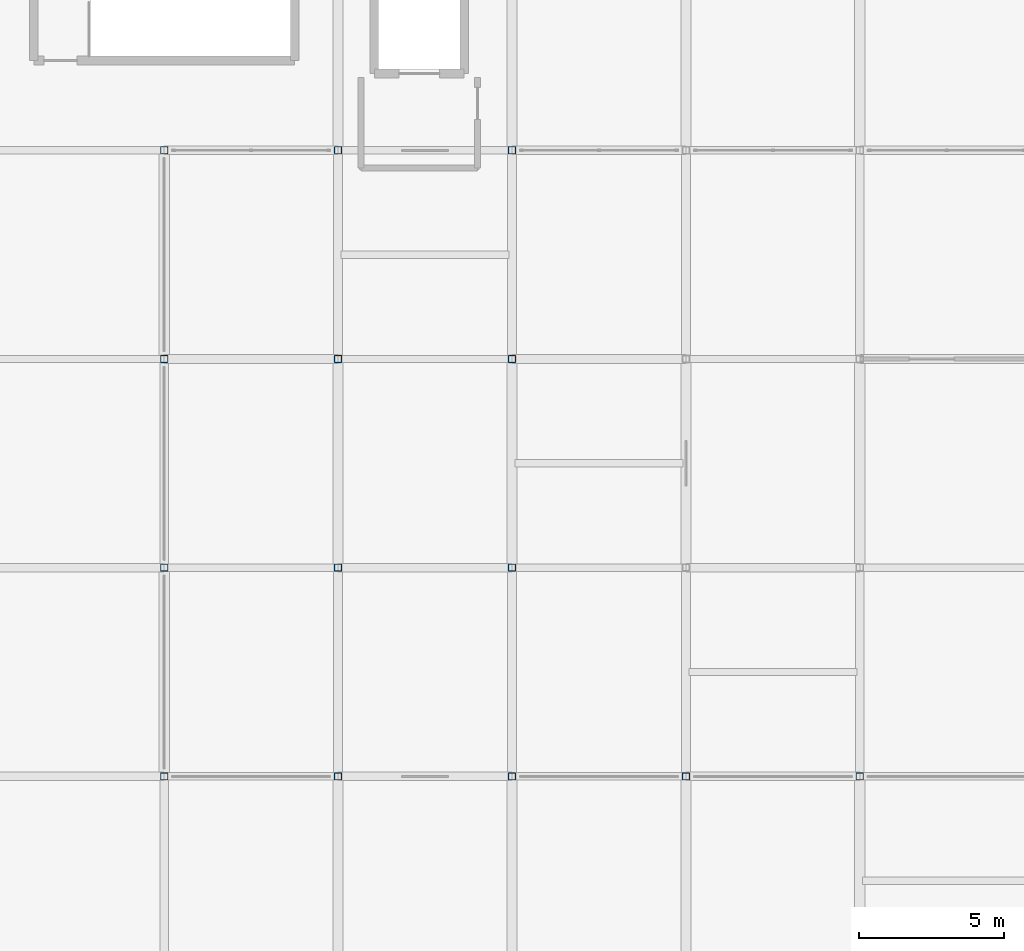
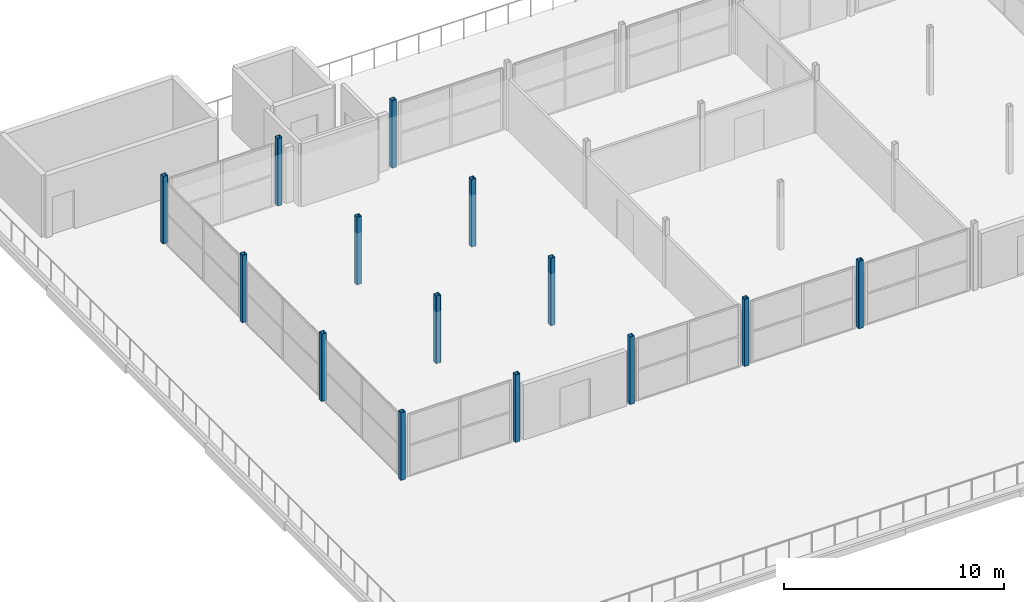
# One storey, part 2 of 239: 14 columns.
"""IFC4 building model written with IfcOpenShell, lengths in metres."""

import ifcopenshell
import ifcopenshell.guid

model = None  # the IFC model being written
_history = None  # IfcOwnerHistory: only IFC2X3 demands one
_inside = {}  # id of a spatial element -> (the spatial element, [elements in it])
_under = {}  # id of a project, library or spatial element -> (it, [spatial elements below it])
_declared = {}  # id of a project -> (the project, [libraries it declares])
_typed = {}  # id of a type object -> (the type object, [elements of that type])
_made_of = {}  # id of a material, layer set ... -> (it, [elements and type objects made of it])


def new_model(schema):
    """Start an empty IFC model of exactly this schema.

    Asked for "IFC4X3", IfcOpenShell would pick the latest addendum, in which some entities
    have other attributes; the version numbers below select the first issue.
    IFC2X3 requires an IfcOwnerHistory on every rooted entity: one is made here for all.
    """
    global model, _history
    if schema == "IFC4X3":
        model = ifcopenshell.file(schema_version=(4, 3, 0, 0))
    else:
        model = ifcopenshell.file(schema=schema)
    _inside.clear()
    _under.clear()
    _declared.clear()
    _typed.clear()
    _made_of.clear()
    _history = None
    if model.schema == "IFC2X3":
        org = make("IfcOrganization", Name="unknown")
        user = make(
            "IfcPersonAndOrganization",
            ThePerson=make("IfcPerson", FamilyName="unknown"),
            TheOrganization=org,
        )
        app = make(
            "IfcApplication",
            ApplicationDeveloper=org,
            Version="unknown",
            ApplicationFullName="unknown",
            ApplicationIdentifier="unknown",
        )
        _history = make(
            "IfcOwnerHistory",
            OwningUser=user,
            OwningApplication=app,
            ChangeAction="ADDED",
            CreationDate=0,
        )
    return model


def make(cls, **values):
    """One entity of the class cls with the attributes given. An attribute that is None is left unset."""
    return model.create_entity(
        cls, **{name: value for name, value in values.items() if value is not None}
    )


def rooted(cls, **values):
    """An entity with a GlobalId (a new one), such as an element, a storey or a relation."""
    return make(cls, GlobalId=ifcopenshell.guid.new(), OwnerHistory=_history, **values)


def si_unit(unit_type, name, prefix=None):
    """IfcSIUnit, for example si_unit("LENGTHUNIT", "METRE", prefix="MILLI")."""
    return make("IfcSIUnit", UnitType=unit_type, Prefix=prefix, Name=name)


def assignment(units):
    """IfcUnitAssignment: the units of a project."""
    return None if units is None else make("IfcUnitAssignment", Units=units)


def point(xyz):
    """IfcCartesianPoint."""
    return None if xyz is None else make("IfcCartesianPoint", Coordinates=xyz)


def direction(xyz):
    """IfcDirection."""
    return None if xyz is None else make("IfcDirection", DirectionRatios=xyz)


def frame(location, z_axis=None, x_axis=None):
    """IfcAxis2Placement3D, a coordinate frame: its origin and axes. An axis left out is left unset."""
    return make(
        "IfcAxis2Placement3D",
        Location=point(location),
        Axis=direction(z_axis),
        RefDirection=direction(x_axis),
    )


def frame_2d(location, x_axis=None):
    """IfcAxis2Placement2D, a coordinate frame in the plane: its origin and x axis."""
    return make(
        "IfcAxis2Placement2D", Location=point(location), RefDirection=direction(x_axis)
    )


def origin():
    """The frame at (0, 0, 0) with its axes left unset."""
    return frame((0.0, 0.0, 0.0))


def origin_2d():
    """The frame at (0, 0) in the plane with its x axis left unset."""
    return frame_2d((0.0, 0.0))


def place(relative_to, where):
    """IfcLocalPlacement: puts the frame where relative to a parent placement (None: the world)."""
    return make(
        "IfcLocalPlacement", PlacementRelTo=relative_to, RelativePlacement=where
    )


def context(
    kind, dimensions, precision=None, world=None, true_north=None, identifier=None
):
    """IfcGeometricRepresentationContext, for example the 3D "Model" context."""
    return make(
        "IfcGeometricRepresentationContext",
        ContextIdentifier=identifier,
        ContextType=kind,
        CoordinateSpaceDimension=dimensions,
        Precision=precision,
        WorldCoordinateSystem=world,
        TrueNorth=true_north,
    )


def subcontext(parent, identifier, kind, view, scale=None):
    """IfcGeometricRepresentationSubContext, for example "Body" below "Model"."""
    return make(
        "IfcGeometricRepresentationSubContext",
        ContextIdentifier=identifier,
        ContextType=kind,
        ParentContext=parent,
        TargetScale=scale,
        TargetView=view,
    )


def project(units=None, contexts=None):
    """IfcProject with its units and contexts."""
    return rooted(
        "IfcProject",
        Name="project",
        RepresentationContexts=contexts,
        UnitsInContext=assignment(units),
    )


def spatial(cls, under=None, at=None, **own):
    """A site, building, storey or space (cls), placed at a placement, below another one or the project."""
    s = rooted(cls, ObjectPlacement=at, **own)
    if under is not None:
        _under.setdefault(under.id(), (under, []))[1].append(s)
    return s


def profile(cls, at=None, kind="AREA", **sizes):
    """A parametric profile (cls). Its sizes go by their IFC names, for example OverallWidth=200.0."""
    return make(cls, ProfileType=kind, Position=at, **sizes)


def hollow_rectangle(**sizes):
    """IfcRectangleHollowProfileDef."""
    return profile("IfcRectangleHollowProfileDef", **sizes)


def extrude(swept, where, along, depth):
    """IfcExtrudedAreaSolid: the profile swept, set in the frame where, extruded along a direction by depth."""
    return make(
        "IfcExtrudedAreaSolid",
        SweptArea=swept,
        Position=where,
        ExtrudedDirection=direction(along),
        Depth=depth,
    )


def shape(context_of_items, identifier, shape_type, items):
    """IfcShapeRepresentation: the items that make up one representation, for example the "Body"."""
    return make(
        "IfcShapeRepresentation",
        ContextOfItems=context_of_items,
        RepresentationIdentifier=identifier,
        RepresentationType=shape_type,
        Items=items,
    )


def material(Name=None, Category=None):
    """IfcMaterial."""
    return make("IfcMaterial", Name=Name, Category=Category)


def material_profile(
    of_material, cross_section, Name=None, Category=None, Priority=None
):
    """IfcMaterialProfile: a cross section and its material."""
    return make(
        "IfcMaterialProfile",
        Name=Name,
        Material=of_material,
        Profile=cross_section,
        Priority=Priority,
        Category=Category,
    )


def profile_set(profiles, Name=None, composite=None):
    """IfcMaterialProfileSet."""
    return make(
        "IfcMaterialProfileSet",
        Name=Name,
        MaterialProfiles=profiles,
        CompositeProfile=composite,
    )


def made_of(thing, what):
    """Note that an element or type object is made of a material, layer set ...; save() writes the relation."""
    if what is not None:
        _made_of.setdefault(what.id(), (what, []))[1].append(thing)
    return thing


def type_object(cls, material=None, **own):
    """A type object (cls), such as IfcWallType, which elements share."""
    return made_of(rooted(cls, **own), material)


def element(
    cls,
    number,
    at=None,
    inside=None,
    cuts=None,
    type_object=None,
    material=None,
    context=None,
    identifier="Body",
    shape_type=None,
    held_by="IfcProductDefinitionShape",
    body=None,
    shapes=None,
    **own,
):
    """One element of the class cls, such as IfcWall. Its Tag is "e" and its number.

    at: its placement. inside: the storey or other place that contains it. cuts: it is an
    opening in that element (IfcRelVoidsElement). A single representation is given by context,
    identifier, shape_type and body (its items); several are given by shapes. held_by: the class
    of the entity that holds the representations. save() writes the other relations.
    """
    e = rooted(cls, Tag="e%d" % number, ObjectPlacement=at, **own)
    if body is not None:
        shapes = [shape(context, identifier, shape_type, body)]
    if shapes is not None:
        e.Representation = make(held_by, Representations=shapes)
    if inside is not None:
        _inside.setdefault(inside.id(), (inside, []))[1].append(e)
    if cuts is not None:
        rooted(
            "IfcRelVoidsElement", RelatingBuildingElement=cuts, RelatedOpeningElement=e
        )
    if type_object is not None:
        _typed.setdefault(type_object.id(), (type_object, []))[1].append(e)
    return made_of(e, material)


def aggregate(whole, parts):
    """IfcRelAggregates: a whole, such as a stair, and the parts it consists of."""
    return rooted("IfcRelAggregates", RelatingObject=whole, RelatedObjects=parts)


def save(model, path):
    """Write the relations noted so far, then the file.

    IfcRelAggregates (storeys below a building ...), IfcRelContainedInSpatialStructure (elements
    in a storey), IfcRelDefinesByType, IfcRelAssociatesMaterial and IfcRelDeclares: one each for
    every whole, place, type object, material and project.
    """
    for whole, parts in _under.values():
        aggregate(whole, parts)
    for where, things in _inside.values():
        rooted(
            "IfcRelContainedInSpatialStructure",
            RelatedElements=things,
            RelatingStructure=where,
        )
    for kind, things in _typed.values():
        rooted("IfcRelDefinesByType", RelatedObjects=things, RelatingType=kind)
    for what, things in _made_of.values():
        rooted("IfcRelAssociatesMaterial", RelatedObjects=things, RelatingMaterial=what)
    for by, libraries in _declared.values():
        rooted("IfcRelDeclares", RelatingContext=by, RelatedDefinitions=libraries)
    model.write(path)


model = new_model("IFC4")

# Units and contexts
model_context = context("Model", 3, precision=1e-05, world=origin(), true_north=direction((0.0, 1.0)))
body_context = subcontext(model_context, "Body", "Model", "MODEL_VIEW")
ifc_project = project(units=[si_unit("LENGTHUNIT", "METRE"), si_unit("AREAUNIT", "SQUARE_METRE"), si_unit("VOLUMEUNIT", "CUBIC_METRE"), si_unit("PLANEANGLEUNIT", "RADIAN"), si_unit("MASSUNIT", "GRAM", prefix="KILO")], contexts=[model_context])

# Site, building, storey
site_placement = place(None, origin())
site = spatial("IfcSite", under=ifc_project, at=site_placement, CompositionType="ELEMENT")
building_placement = place(site_placement, origin())
building = spatial("IfcBuilding", under=site, at=building_placement, Name="Dunvalen Ferry Terminal", CompositionType="ELEMENT")
storey_placement = place(building_placement, frame((0.0, 0.0, 9.840087890625)))
storey = spatial("IfcBuildingStorey", under=building, at=storey_placement, Name="L02", CompositionType="ELEMENT", Elevation=9.840087890625)

# Columns
ifc_material = material(Name="Steel S355", Category="steel")
ifc_material_profile = material_profile(ifc_material, hollow_rectangle(XDim=0.25, YDim=0.25, WallThickness=0.010009765625, InnerFilletRadius=0.010009765625, OuterFilletRadius=0.02001953125, at=origin_2d()), Name="Steel S355")
ifc_profile_set = profile_set([ifc_material_profile], Name="Steel S355")
column_type = type_object("IfcColumnType", Name="STR-COL-SHS250", PredefinedType="COLUMN", material=ifc_profile_set)
for number, where, z_axis, x_axis, name in (
    (1, (114.0, 14.39990234375, 0.0), (0.0, 0.0, 1.0), (1.0, 0.0, 0.0), "L02 Promenade Pavilion Column 114-14"),
    (2, (114.0, 21.60009765625, 0.0), (0.0, 0.0, 1.0), (1.0, 0.0, 0.0), "L02 Promenade Pavilion Column 114-21"),
    (3, (114.0, 28.800048828125, 0.0), (0.0, 0.0, 1.0), (1.0, 0.0, 0.0), "L02 Promenade Pavilion Column 114-28"),
    (4, (114.0, 36.0, 0.0), (0.0, 0.0, 1.0), (1.0, 0.0, 0.0), "L02 Promenade Pavilion Column 114-36"),
    (5, (120.0, 14.39990234375, 0.0), (0.0, 0.0, 1.0), (1.0, 0.0, 0.0), "L02 Promenade Pavilion Column 120-14"),
    (6, (120.0, 21.60009765625, 0.0), (0.0, 0.0, 1.0), (1.0, 0.0, 0.0), "L02 Promenade Pavilion Column 120-21"),
    (7, (120.0, 28.800048828125, 0.0), (0.0, 0.0, 1.0), (1.0, 0.0, 0.0), "L02 Promenade Pavilion Column 120-28"),
    (8, (120.0, 36.0, 0.0), (0.0, 0.0, 1.0), (1.0, 0.0, 0.0), "L02 Promenade Pavilion Column 120-36"),
    (9, (126.0, 14.39990234375, 0.0), (0.0, 0.0, 1.0), (1.0, 0.0, 0.0), "L02 Promenade Pavilion Column 126-14"),
    (10, (126.0, 21.60009765625, 0.0), (0.0, 0.0, 1.0), (1.0, 0.0, 0.0), "L02 Promenade Pavilion Column 126-21"),
    (11, (126.0, 28.800048828125, 0.0), (0.0, 0.0, 1.0), (1.0, 0.0, 0.0), "L02 Promenade Pavilion Column 126-28"),
    (12, (126.0, 36.0, 0.0), (0.0, 0.0, 1.0), (1.0, 0.0, 0.0), "L02 Promenade Pavilion Column 126-36"),
    (13, (132.0, 14.39990234375, 0.0), (0.0, 0.0, 1.0), (1.0, 0.0, 0.0), "L02 Promenade Pavilion Column 132-14"),
    (14, (138.0, 14.39990234375, 0.0), (0.0, 0.0, 1.0), (1.0, 0.0, 0.0), "L02 Promenade Pavilion Column 138-14"),
):
    element("IfcColumn", number, at=place(storey_placement, frame(where, z_axis=z_axis, x_axis=x_axis)), inside=storey, type_object=column_type, Name=name, PredefinedType="COLUMN", context=body_context, shape_type="SweptSolid", body=[
        extrude(hollow_rectangle(XDim=0.25, YDim=0.25, WallThickness=0.010009765625, InnerFilletRadius=0.010009765625, OuterFilletRadius=0.02001953125, at=origin_2d()), origin(), (0.0, 0.0, 1.0), 3.739990234375),
    ])

save(model, "model.ifc")
